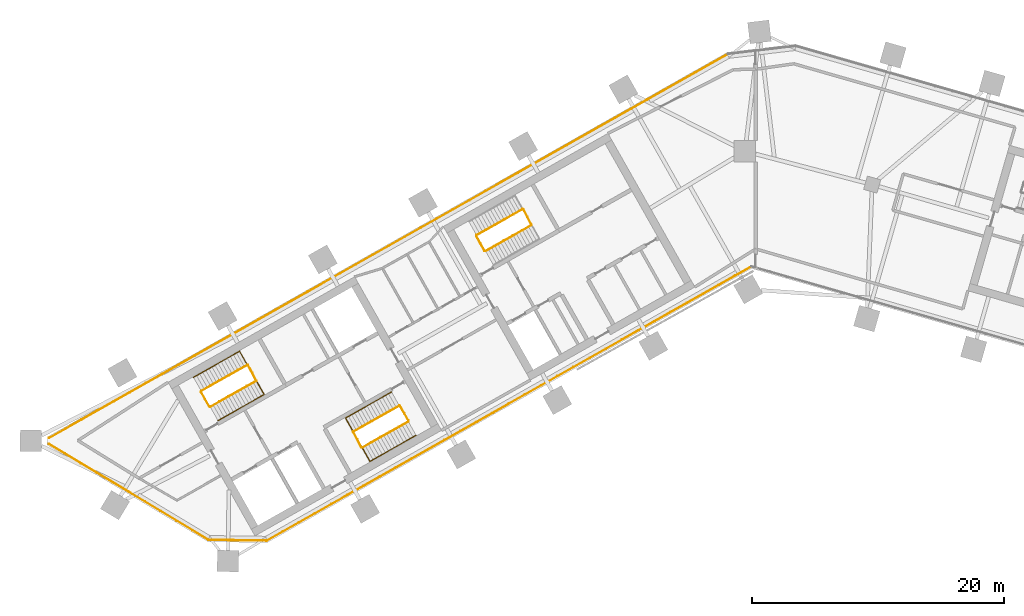
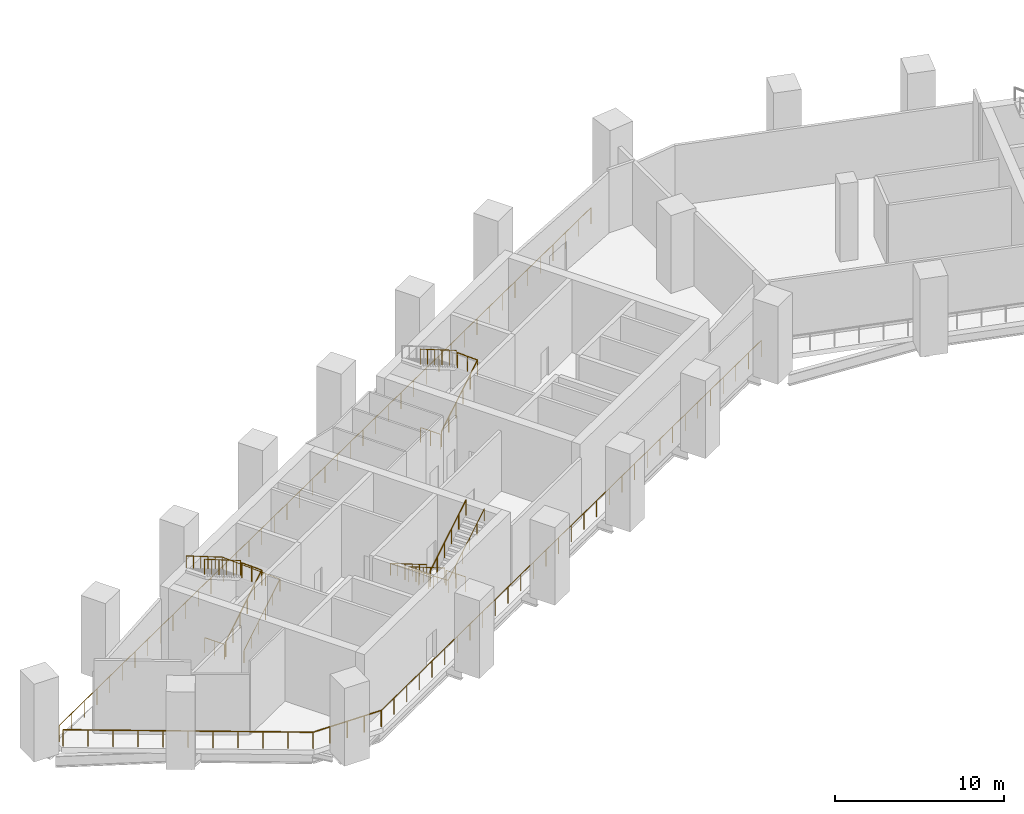
# One storey, part 9 of 11: 15 railings.
"""IFC4 building model written with IfcOpenShell, lengths in metres."""

from ifc_helpers import new_model, si_unit, direction, frame, origin, origin_2d, place, context, subcontext, project, spatial, circle, extrude, material, type_object, element, save


model = new_model("IFC4")

# Units and contexts
model_context = context("Model", 3, precision=1e-05, world=origin(), true_north=direction((0.0, 1.0)))
body_context = subcontext(model_context, "Body", "Model", "MODEL_VIEW")
ifc_project = project(units=[si_unit("LENGTHUNIT", "METRE"), si_unit("AREAUNIT", "SQUARE_METRE"), si_unit("VOLUMEUNIT", "CUBIC_METRE"), si_unit("PLANEANGLEUNIT", "RADIAN"), si_unit("MASSUNIT", "GRAM", prefix="KILO")], contexts=[model_context])

# Site, building, storey
site_placement = place(None, origin())
site = spatial("IfcSite", under=ifc_project, at=site_placement, CompositionType="ELEMENT")
building_placement = place(site_placement, origin())
building = spatial("IfcBuilding", under=site, at=building_placement, Name="Binnacle Exchange Tower", CompositionType="ELEMENT")
storey_placement = place(building_placement, frame((0.0, 0.0, 91.5)))
storey = spatial("IfcBuildingStorey", under=building, at=storey_placement, Name="L18", CompositionType="ELEMENT", Elevation=91.5)

# Railings
ifc_material_1 = material(Name="Bronze anodised aluminium frame", Category="aluminium")
railing_type_1 = type_object("IfcRailingType", Name="GUARD 1200", PredefinedType="GUARDRAIL", material=ifc_material_1)
railing_1_placement = place(storey_placement, frame((-0.337890625, 50.853515625, 0.0)))
element("IfcRailing", 1, at=railing_1_placement, inside=storey, type_object=railing_type_1, Name="Slab edge guard 7 L18", PredefinedType="GUARDRAIL", context=body_context, shape_type="SweptSolid", body=[
    extrude(circle(Radius=0.02392578125, at=origin_2d()), frame((0.0, 0.0, 1.17578125), z_axis=(-0.870356450628, -0.492422226195, 0.0), x_axis=(0.492422226195, -0.870356450628, 0.0)), (0.0, 0.0, 1.0), 44.16748046875),
    extrude(circle(Radius=0.02099609375, at=origin_2d()), origin(), (0.0, 0.0, 1.0), 1.15185546875),
    extrude(circle(Radius=0.02099609375, at=origin_2d()), frame((-1.281494140625, -0.724853515625, 0.0)), (0.0, 0.0, 1.0), 1.15185546875),
    extrude(circle(Radius=0.02099609375, at=origin_2d()), frame((-2.562744140625, -1.449951171875, 0.0)), (0.0, 0.0, 1.0), 1.15185546875),
    extrude(circle(Radius=0.02099609375, at=origin_2d()), frame((-3.84423828125, -2.1748046875, 0.0)), (0.0, 0.0, 1.0), 1.15185546875),
    extrude(circle(Radius=0.02099609375, at=origin_2d()), frame((-5.12548828125, -2.89990234375, 0.0)), (0.0, 0.0, 1.0), 1.15185546875),
    extrude(circle(Radius=0.02099609375, at=origin_2d()), frame((-6.406982421875, -3.624755859375, 0.0)), (0.0, 0.0, 1.0), 1.15185546875),
    extrude(circle(Radius=0.02099609375, at=origin_2d()), frame((-7.688232421875, -4.349853515625, 0.0)), (0.0, 0.0, 1.0), 1.15185546875),
    extrude(circle(Radius=0.02099609375, at=origin_2d()), frame((-8.9697265625, -5.07470703125, 0.0)), (0.0, 0.0, 1.0), 1.15185546875),
    extrude(circle(Radius=0.02099609375, at=origin_2d()), frame((-10.2509765625, -5.7998046875, 0.0)), (0.0, 0.0, 1.0), 1.15185546875),
    extrude(circle(Radius=0.02099609375, at=origin_2d()), frame((-11.532470703125, -6.524658203125, 0.0)), (0.0, 0.0, 1.0), 1.15185546875),
    extrude(circle(Radius=0.02099609375, at=origin_2d()), frame((-12.813720703125, -7.249755859375, 0.0)), (0.0, 0.0, 1.0), 1.15185546875),
    extrude(circle(Radius=0.02099609375, at=origin_2d()), frame((-14.09521484375, -7.974609375, 0.0)), (0.0, 0.0, 1.0), 1.15185546875),
    extrude(circle(Radius=0.02099609375, at=origin_2d()), frame((-15.37646484375, -8.69970703125, 0.0)), (0.0, 0.0, 1.0), 1.15185546875),
    extrude(circle(Radius=0.02099609375, at=origin_2d()), frame((-16.657958984375, -9.424560546875, 0.0)), (0.0, 0.0, 1.0), 1.15185546875),
    extrude(circle(Radius=0.02099609375, at=origin_2d()), frame((-17.939208984375, -10.149658203125, 0.0)), (0.0, 0.0, 1.0), 1.15185546875),
    extrude(circle(Radius=0.02099609375, at=origin_2d()), frame((-19.220703125, -10.87451171875, 0.0)), (0.0, 0.0, 1.0), 1.15185546875),
    extrude(circle(Radius=0.02099609375, at=origin_2d()), frame((-20.502197265625, -11.599365234375, 0.0)), (0.0, 0.0, 1.0), 1.15185546875),
    extrude(circle(Radius=0.02099609375, at=origin_2d()), frame((-21.783447265625, -12.324462890625, 0.0)), (0.0, 0.0, 1.0), 1.15185546875),
    extrude(circle(Radius=0.02099609375, at=origin_2d()), frame((-23.06494140625, -13.04931640625, 0.0)), (0.0, 0.0, 1.0), 1.15185546875),
    extrude(circle(Radius=0.02099609375, at=origin_2d()), frame((-24.34619140625, -13.7744140625, 0.0)), (0.0, 0.0, 1.0), 1.15185546875),
    extrude(circle(Radius=0.02099609375, at=origin_2d()), frame((-25.627685546875, -14.499267578125, 0.0)), (0.0, 0.0, 1.0), 1.15185546875),
    extrude(circle(Radius=0.02099609375, at=origin_2d()), frame((-26.908935546875, -15.224365234375, 0.0)), (0.0, 0.0, 1.0), 1.15185546875),
    extrude(circle(Radius=0.02099609375, at=origin_2d()), frame((-28.1904296875, -15.94921875, 0.0)), (0.0, 0.0, 1.0), 1.15185546875),
    extrude(circle(Radius=0.02099609375, at=origin_2d()), frame((-29.4716796875, -16.67431640625, 0.0)), (0.0, 0.0, 1.0), 1.15185546875),
    extrude(circle(Radius=0.02099609375, at=origin_2d()), frame((-30.753173828125, -17.399169921875, 0.0)), (0.0, 0.0, 1.0), 1.15185546875),
    extrude(circle(Radius=0.02099609375, at=origin_2d()), frame((-32.034423828125, -18.124267578125, 0.0)), (0.0, 0.0, 1.0), 1.15185546875),
    extrude(circle(Radius=0.02099609375, at=origin_2d()), frame((-33.31591796875, -18.84912109375, 0.0)), (0.0, 0.0, 1.0), 1.15185546875),
    extrude(circle(Radius=0.02099609375, at=origin_2d()), frame((-34.59716796875, -19.57421875, 0.0)), (0.0, 0.0, 1.0), 1.15185546875),
    extrude(circle(Radius=0.02099609375, at=origin_2d()), frame((-35.878662109375, -20.299072265625, 0.0)), (0.0, 0.0, 1.0), 1.15185546875),
    extrude(circle(Radius=0.02099609375, at=origin_2d()), frame((-37.159912109375, -21.024169921875, 0.0)), (0.0, 0.0, 1.0), 1.15185546875),
    extrude(circle(Radius=0.02099609375, at=origin_2d()), frame((-38.44140625, -21.7490234375, 0.0)), (0.0, 0.0, 1.0), 1.15185546875),
])
railing_2_placement = place(storey_placement, frame((-38.779296875, 29.1044921875, 0.0)))
element("IfcRailing", 2, at=railing_2_placement, inside=storey, type_object=railing_type_1, Name="Slab edge guard 8 L18", PredefinedType="GUARDRAIL", context=body_context, shape_type="SweptSolid", body=[
    extrude(circle(Radius=0.02392578125, at=origin_2d()), frame((0.0, 0.0, 1.17578125), z_axis=(-0.999914605357, 0.013068358512, 0.0), x_axis=(-0.013068358512, -0.999914605357, 0.0)), (0.0, 0.0, 1.0), 4.614501953125),
    extrude(circle(Radius=0.02099609375, at=origin_2d()), origin(), (0.0, 0.0, 1.0), 1.15185546875),
    extrude(circle(Radius=0.02099609375, at=origin_2d()), frame((-1.153564453125, 0.01513671875, 0.0)), (0.0, 0.0, 1.0), 1.15185546875),
    extrude(circle(Radius=0.02099609375, at=origin_2d()), frame((-2.30712890625, 0.0302734375, 0.0)), (0.0, 0.0, 1.0), 1.15185546875),
    extrude(circle(Radius=0.02099609375, at=origin_2d()), frame((-3.46044921875, 0.045166015625, 0.0)), (0.0, 0.0, 1.0), 1.15185546875),
    extrude(circle(Radius=0.02099609375, at=origin_2d()), frame((-4.614013671875, 0.060302734375, 0.0)), (0.0, 0.0, 1.0), 1.15185546875),
])
railing_3_placement = place(storey_placement, frame((-43.393310546875, 29.164794921875, 0.0)))
element("IfcRailing", 3, at=railing_3_placement, inside=storey, type_object=railing_type_1, Name="Slab edge guard 9 L18", PredefinedType="GUARDRAIL", context=body_context, shape_type="SweptSolid", body=[
    extrude(circle(Radius=0.02392578125, at=origin_2d()), frame((0.0, 0.0, 1.17578125), z_axis=(-0.857165864505, 0.515040465135, 0.0), x_axis=(-0.515040465135, -0.857165864505, 0.0)), (0.0, 0.0, 1.0), 14.761474609375),
    extrude(circle(Radius=0.02099609375, at=origin_2d()), origin(), (0.0, 0.0, 1.0), 1.15185546875),
    extrude(circle(Radius=0.02099609375, at=origin_2d()), frame((-1.265380859375, 0.76025390625, 0.0)), (0.0, 0.0, 1.0), 1.15185546875),
    extrude(circle(Radius=0.02099609375, at=origin_2d()), frame((-2.530517578125, 1.5205078125, 0.0)), (0.0, 0.0, 1.0), 1.15185546875),
    extrude(circle(Radius=0.02099609375, at=origin_2d()), frame((-3.7958984375, 2.28076171875, 0.0)), (0.0, 0.0, 1.0), 1.15185546875),
    extrude(circle(Radius=0.02099609375, at=origin_2d()), frame((-5.061279296875, 3.041015625, 0.0)), (0.0, 0.0, 1.0), 1.15185546875),
    extrude(circle(Radius=0.02099609375, at=origin_2d()), frame((-6.32666015625, 3.80126953125, 0.0)), (0.0, 0.0, 1.0), 1.15185546875),
    extrude(circle(Radius=0.02099609375, at=origin_2d()), frame((-7.591796875, 4.561767578125, 0.0)), (0.0, 0.0, 1.0), 1.15185546875),
    extrude(circle(Radius=0.02099609375, at=origin_2d()), frame((-8.857177734375, 5.322021484375, 0.0)), (0.0, 0.0, 1.0), 1.15185546875),
    extrude(circle(Radius=0.02099609375, at=origin_2d()), frame((-10.12255859375, 6.082275390625, 0.0)), (0.0, 0.0, 1.0), 1.15185546875),
    extrude(circle(Radius=0.02099609375, at=origin_2d()), frame((-11.3876953125, 6.842529296875, 0.0)), (0.0, 0.0, 1.0), 1.15185546875),
    extrude(circle(Radius=0.02099609375, at=origin_2d()), frame((-12.653076171875, 7.602783203125, 0.0)), (0.0, 0.0, 1.0), 1.15185546875),
])
railing_4_placement = place(storey_placement, frame((-56.0400390625, 37.24951171875, 0.0)))
element("IfcRailing", 4, at=railing_4_placement, inside=storey, type_object=railing_type_1, Name="Slab edge guard 10 L18", PredefinedType="GUARDRAIL", context=body_context, shape_type="SweptSolid", body=[
    extrude(circle(Radius=0.02392578125, at=origin_2d()), frame((0.0, 0.0, 1.17578125), z_axis=(0.870357147372, 0.492420994697, 0.0), x_axis=(-0.492420994697, 0.870357147372, 0.0)), (0.0, 0.0, 1.0), 61.853515625),
    extrude(circle(Radius=0.02099609375, at=origin_2d()), origin(), (0.0, 0.0, 1.0), 1.15185546875),
    extrude(circle(Radius=0.02099609375, at=origin_2d()), frame((1.28173828125, 0.72509765625, 0.0)), (0.0, 0.0, 1.0), 1.15185546875),
    extrude(circle(Radius=0.02099609375, at=origin_2d()), frame((2.5634765625, 1.450439453125, 0.0)), (0.0, 0.0, 1.0), 1.15185546875),
    extrude(circle(Radius=0.02099609375, at=origin_2d()), frame((3.84521484375, 2.175537109375, 0.0)), (0.0, 0.0, 1.0), 1.15185546875),
    extrude(circle(Radius=0.02099609375, at=origin_2d()), frame((5.127197265625, 2.90087890625, 0.0)), (0.0, 0.0, 1.0), 1.15185546875),
    extrude(circle(Radius=0.02099609375, at=origin_2d()), frame((6.408935546875, 3.6259765625, 0.0)), (0.0, 0.0, 1.0), 1.15185546875),
    extrude(circle(Radius=0.02099609375, at=origin_2d()), frame((7.690673828125, 4.35107421875, 0.0)), (0.0, 0.0, 1.0), 1.15185546875),
    extrude(circle(Radius=0.02099609375, at=origin_2d()), frame((8.972412109375, 5.076416015625, 0.0)), (0.0, 0.0, 1.0), 1.15185546875),
    extrude(circle(Radius=0.02099609375, at=origin_2d()), frame((10.254150390625, 5.801513671875, 0.0)), (0.0, 0.0, 1.0), 1.15185546875),
    extrude(circle(Radius=0.02099609375, at=origin_2d()), frame((11.5361328125, 6.526611328125, 0.0)), (0.0, 0.0, 1.0), 1.15185546875),
    extrude(circle(Radius=0.02099609375, at=origin_2d()), frame((12.81787109375, 7.251953125, 0.0)), (0.0, 0.0, 1.0), 1.15185546875),
    extrude(circle(Radius=0.02099609375, at=origin_2d()), frame((14.099609375, 7.97705078125, 0.0)), (0.0, 0.0, 1.0), 1.15185546875),
    extrude(circle(Radius=0.02099609375, at=origin_2d()), frame((15.38134765625, 8.702392578125, 0.0)), (0.0, 0.0, 1.0), 1.15185546875),
    extrude(circle(Radius=0.02099609375, at=origin_2d()), frame((16.6630859375, 9.427490234375, 0.0)), (0.0, 0.0, 1.0), 1.15185546875),
    extrude(circle(Radius=0.02099609375, at=origin_2d()), frame((17.94482421875, 10.152587890625, 0.0)), (0.0, 0.0, 1.0), 1.15185546875),
    extrude(circle(Radius=0.02099609375, at=origin_2d()), frame((19.2265625, 10.8779296875, 0.0)), (0.0, 0.0, 1.0), 1.15185546875),
    extrude(circle(Radius=0.02099609375, at=origin_2d()), frame((20.508544921875, 11.60302734375, 0.0)), (0.0, 0.0, 1.0), 1.15185546875),
    extrude(circle(Radius=0.02099609375, at=origin_2d()), frame((21.790283203125, 12.328125, 0.0)), (0.0, 0.0, 1.0), 1.15185546875),
    extrude(circle(Radius=0.02099609375, at=origin_2d()), frame((23.072021484375, 13.053466796875, 0.0)), (0.0, 0.0, 1.0), 1.15185546875),
    extrude(circle(Radius=0.02099609375, at=origin_2d()), frame((24.353759765625, 13.778564453125, 0.0)), (0.0, 0.0, 1.0), 1.15185546875),
    extrude(circle(Radius=0.02099609375, at=origin_2d()), frame((25.635498046875, 14.50390625, 0.0)), (0.0, 0.0, 1.0), 1.15185546875),
    extrude(circle(Radius=0.02099609375, at=origin_2d()), frame((26.91748046875, 15.22900390625, 0.0)), (0.0, 0.0, 1.0), 1.15185546875),
    extrude(circle(Radius=0.02099609375, at=origin_2d()), frame((28.19921875, 15.9541015625, 0.0)), (0.0, 0.0, 1.0), 1.15185546875),
    extrude(circle(Radius=0.02099609375, at=origin_2d()), frame((29.48095703125, 16.679443359375, 0.0)), (0.0, 0.0, 1.0), 1.15185546875),
    extrude(circle(Radius=0.02099609375, at=origin_2d()), frame((30.7626953125, 17.404541015625, 0.0)), (0.0, 0.0, 1.0), 1.15185546875),
    extrude(circle(Radius=0.02099609375, at=origin_2d()), frame((32.04443359375, 18.1298828125, 0.0)), (0.0, 0.0, 1.0), 1.15185546875),
    extrude(circle(Radius=0.02099609375, at=origin_2d()), frame((33.326171875, 18.85498046875, 0.0)), (0.0, 0.0, 1.0), 1.15185546875),
    extrude(circle(Radius=0.02099609375, at=origin_2d()), frame((34.60791015625, 19.580078125, 0.0)), (0.0, 0.0, 1.0), 1.15185546875),
    extrude(circle(Radius=0.02099609375, at=origin_2d()), frame((35.889892578125, 20.305419921875, 0.0)), (0.0, 0.0, 1.0), 1.15185546875),
    extrude(circle(Radius=0.02099609375, at=origin_2d()), frame((37.171630859375, 21.030517578125, 0.0)), (0.0, 0.0, 1.0), 1.15185546875),
    extrude(circle(Radius=0.02099609375, at=origin_2d()), frame((38.453369140625, 21.755615234375, 0.0)), (0.0, 0.0, 1.0), 1.15185546875),
    extrude(circle(Radius=0.02099609375, at=origin_2d()), frame((39.735107421875, 22.48095703125, 0.0)), (0.0, 0.0, 1.0), 1.15185546875),
    extrude(circle(Radius=0.02099609375, at=origin_2d()), frame((41.016845703125, 23.2060546875, 0.0)), (0.0, 0.0, 1.0), 1.15185546875),
    extrude(circle(Radius=0.02099609375, at=origin_2d()), frame((42.298828125, 23.931396484375, 0.0)), (0.0, 0.0, 1.0), 1.15185546875),
    extrude(circle(Radius=0.02099609375, at=origin_2d()), frame((43.58056640625, 24.656494140625, 0.0)), (0.0, 0.0, 1.0), 1.15185546875),
    extrude(circle(Radius=0.02099609375, at=origin_2d()), frame((44.8623046875, 25.381591796875, 0.0)), (0.0, 0.0, 1.0), 1.15185546875),
    extrude(circle(Radius=0.02099609375, at=origin_2d()), frame((46.14404296875, 26.10693359375, 0.0)), (0.0, 0.0, 1.0), 1.15185546875),
    extrude(circle(Radius=0.02099609375, at=origin_2d()), frame((47.42578125, 26.83203125, 0.0)), (0.0, 0.0, 1.0), 1.15185546875),
    extrude(circle(Radius=0.02099609375, at=origin_2d()), frame((48.70751953125, 27.55712890625, 0.0)), (0.0, 0.0, 1.0), 1.15185546875),
    extrude(circle(Radius=0.02099609375, at=origin_2d()), frame((49.9892578125, 28.282470703125, 0.0)), (0.0, 0.0, 1.0), 1.15185546875),
    extrude(circle(Radius=0.02099609375, at=origin_2d()), frame((51.271240234375, 29.007568359375, 0.0)), (0.0, 0.0, 1.0), 1.15185546875),
    extrude(circle(Radius=0.02099609375, at=origin_2d()), frame((52.552978515625, 29.73291015625, 0.0)), (0.0, 0.0, 1.0), 1.15185546875),
    extrude(circle(Radius=0.02099609375, at=origin_2d()), frame((53.834716796875, 30.4580078125, 0.0)), (0.0, 0.0, 1.0), 1.15185546875),
])
ifc_material_2 = material(Name="Steel guard rail", Category="steel")
railing_type_2 = type_object("IfcRailingType", Name="STAIR GUARD 1100", PredefinedType="GUARDRAIL", material=ifc_material_2)
railing_5_placement = place(storey_placement, frame((-43.26171875, 39.71728515625, 0.175048828125)))
element("IfcRailing", 5, at=railing_5_placement, inside=storey, type_object=railing_type_2, Name="L18 STA1 stair guard 1", PredefinedType="GUARDRAIL", context=body_context, shape_type="SweptSolid", body=[
    extrude(circle(Radius=0.02392578125, at=origin_2d()), frame((0.0, 0.0, 1.076171875), z_axis=(0.73806629329, 0.417562250081, 0.529999918884), x_axis=(-0.492409653846, 0.870363563575, 0.0)), (0.0, 0.0, 1.0), 4.952880859375),
    extrude(circle(Radius=0.02392578125, at=origin_2d()), frame((3.655517578125, 2.068115234375, 3.701171875), z_axis=(-0.461100321709, 0.887348011391, 0.0), x_axis=(-0.887348011391, -0.461100321709, 0.0)), (0.0, 0.0, 1.0), 1.40087890625),
    extrude(circle(Radius=0.02099609375, at=origin_2d()), origin(), (0.0, 0.0, 1.0), 1.052001953125),
    extrude(circle(Radius=0.02099609375, at=origin_2d()), frame((0.731201171875, 0.41357421875, 0.52490234375)), (0.0, 0.0, 1.0), 1.052001953125),
    extrude(circle(Radius=0.02099609375, at=origin_2d()), frame((1.462158203125, 0.8271484375, 1.050048828125)), (0.0, 0.0, 1.0), 1.052001953125),
    extrude(circle(Radius=0.02099609375, at=origin_2d()), frame((2.193359375, 1.240966796875, 1.574951171875)), (0.0, 0.0, 1.0), 1.052001953125),
    extrude(circle(Radius=0.02099609375, at=origin_2d()), frame((2.92431640625, 1.654541015625, 2.10009765625)), (0.0, 0.0, 1.0), 1.052001953125),
    extrude(circle(Radius=0.02099609375, at=origin_2d()), frame((3.655517578125, 2.068115234375, 2.625)), (0.0, 0.0, 1.0), 1.052001953125),
    extrude(circle(Radius=0.02099609375, at=origin_2d()), frame((3.33251953125, 2.689697265625, 2.625)), (0.0, 0.0, 1.0), 1.052001953125),
    extrude(circle(Radius=0.02099609375, at=origin_2d()), frame((3.009521484375, 3.311279296875, 2.625)), (0.0, 0.0, 1.0), 1.052001953125),
])
railing_6_placement = place(storey_placement, frame((-40.3203125, 43.047607421875, 2.97509765625)))
element("IfcRailing", 6, at=railing_6_placement, inside=storey, type_object=railing_type_2, Name="L18 STA1 stair guard 2", PredefinedType="GUARDRAIL", context=body_context, shape_type="SweptSolid", body=[
    extrude(circle(Radius=0.02392578125, at=origin_2d()), frame((0.0, 0.0, 1.076171875), z_axis=(-0.738051101275, -0.417602947305, 0.529989009611), x_axis=(0.492453686477, -0.870338650569, 0.0)), (0.0, 0.0, 1.0), 4.952880859375),
    extrude(circle(Radius=0.02099609375, at=origin_2d()), origin(), (0.0, 0.0, 1.0), 1.052001953125),
    extrude(circle(Radius=0.02099609375, at=origin_2d()), frame((-0.731201171875, -0.41357421875, 0.52490234375)), (0.0, 0.0, 1.0), 1.052001953125),
    extrude(circle(Radius=0.02099609375, at=origin_2d()), frame((-1.462158203125, -0.827392578125, 1.050048828125)), (0.0, 0.0, 1.0), 1.052001953125),
    extrude(circle(Radius=0.02099609375, at=origin_2d()), frame((-2.193359375, -1.240966796875, 1.574951171875)), (0.0, 0.0, 1.0), 1.052001953125),
    extrude(circle(Radius=0.02099609375, at=origin_2d()), frame((-2.92431640625, -1.65478515625, 2.10009765625)), (0.0, 0.0, 1.0), 1.052001953125),
    extrude(circle(Radius=0.02099609375, at=origin_2d()), frame((-3.655517578125, -2.068359375, 2.625)), (0.0, 0.0, 1.0), 1.052001953125),
])
railing_7_placement = place(storey_placement, frame((-43.329833984375, 39.736328125, 0.0)))
element("IfcRailing", 7, at=railing_7_placement, inside=storey, type_object=railing_type_2, Name="L18 STA1 stair guard 3", PredefinedType="GUARDRAIL", context=body_context, shape_type="SweptSolid", body=[
    extrude(circle(Radius=0.02392578125, at=origin_2d()), frame((0.0, 0.0, 1.076171875), z_axis=(-0.4924922531, 0.870316827734, 0.0), x_axis=(-0.870316827734, -0.4924922531, 0.0)), (0.0, 0.0, 1.0), 1.349853515625),
    extrude(circle(Radius=0.02099609375, at=origin_2d()), origin(), (0.0, 0.0, 1.0), 1.052001953125),
    extrude(circle(Radius=0.02099609375, at=origin_2d()), frame((-0.33251953125, 0.58740234375, 0.0)), (0.0, 0.0, 1.0), 1.052001953125),
    extrude(circle(Radius=0.02099609375, at=origin_2d()), frame((-0.664794921875, 1.1748046875, 0.0)), (0.0, 0.0, 1.0), 1.052001953125),
])
railing_8_placement = place(storey_placement, frame((-28.265380859375, 39.814453125, 0.175048828125)))
element("IfcRailing", 8, at=railing_8_placement, inside=storey, type_object=railing_type_2, Name="L18 STA2 stair guard 1", PredefinedType="GUARDRAIL", context=body_context, shape_type="SweptSolid", body=[
    extrude(circle(Radius=0.02392578125, at=origin_2d()), frame((0.0, 0.0, 1.076171875), z_axis=(-0.73806629329, -0.417562250081, 0.529999918884), x_axis=(0.492409653846, -0.870363563575, 0.0)), (0.0, 0.0, 1.0), 4.952880859375),
    extrude(circle(Radius=0.02392578125, at=origin_2d()), frame((-3.655517578125, -2.068115234375, 3.701171875), z_axis=(0.460963092712, -0.887419307406, 0.0), x_axis=(0.887419307406, 0.460963092712, 0.0)), (0.0, 0.0, 1.0), 1.40087890625),
    extrude(circle(Radius=0.02099609375, at=origin_2d()), origin(), (0.0, 0.0, 1.0), 1.052001953125),
    extrude(circle(Radius=0.02099609375, at=origin_2d()), frame((-0.731201171875, -0.41357421875, 0.52490234375)), (0.0, 0.0, 1.0), 1.052001953125),
    extrude(circle(Radius=0.02099609375, at=origin_2d()), frame((-1.462158203125, -0.8271484375, 1.050048828125)), (0.0, 0.0, 1.0), 1.052001953125),
    extrude(circle(Radius=0.02099609375, at=origin_2d()), frame((-2.193359375, -1.240966796875, 1.574951171875)), (0.0, 0.0, 1.0), 1.052001953125),
    extrude(circle(Radius=0.02099609375, at=origin_2d()), frame((-2.92431640625, -1.654541015625, 2.10009765625)), (0.0, 0.0, 1.0), 1.052001953125),
    extrude(circle(Radius=0.02099609375, at=origin_2d()), frame((-3.655517578125, -2.068115234375, 2.625)), (0.0, 0.0, 1.0), 1.052001953125),
    extrude(circle(Radius=0.02099609375, at=origin_2d()), frame((-3.33251953125, -2.689697265625, 2.625)), (0.0, 0.0, 1.0), 1.052001953125),
    extrude(circle(Radius=0.02099609375, at=origin_2d()), frame((-3.009765625, -3.311279296875, 2.625)), (0.0, 0.0, 1.0), 1.052001953125),
])
railing_9_placement = place(storey_placement, frame((-31.206787109375, 36.484375, 2.97509765625)))
element("IfcRailing", 9, at=railing_9_placement, inside=storey, type_object=railing_type_2, Name="L18 STA2 stair guard 2", PredefinedType="GUARDRAIL", context=body_context, shape_type="SweptSolid", body=[
    extrude(circle(Radius=0.02392578125, at=origin_2d()), frame((0.0, 0.0, 1.076171875), z_axis=(0.738043850958, 0.417577441989, 0.530019201543), x_axis=(-0.49243456751, 0.870349468157, 0.0)), (0.0, 0.0, 1.0), 4.95263671875),
    extrude(circle(Radius=0.02099609375, at=origin_2d()), origin(), (0.0, 0.0, 1.0), 1.052001953125),
    extrude(circle(Radius=0.02099609375, at=origin_2d()), frame((0.73095703125, 0.41357421875, 0.52490234375)), (0.0, 0.0, 1.0), 1.052001953125),
    extrude(circle(Radius=0.02099609375, at=origin_2d()), frame((1.462158203125, 0.8271484375, 1.050048828125)), (0.0, 0.0, 1.0), 1.052001953125),
    extrude(circle(Radius=0.02099609375, at=origin_2d()), frame((2.193115234375, 1.240966796875, 1.574951171875)), (0.0, 0.0, 1.0), 1.052001953125),
    extrude(circle(Radius=0.02099609375, at=origin_2d()), frame((2.92431640625, 1.654541015625, 2.10009765625)), (0.0, 0.0, 1.0), 1.052001953125),
    extrude(circle(Radius=0.02099609375, at=origin_2d()), frame((3.6552734375, 2.068115234375, 2.625)), (0.0, 0.0, 1.0), 1.052001953125),
])
railing_10_placement = place(storey_placement, frame((-28.197265625, 39.795654296875, 0.0)))
element("IfcRailing", 10, at=railing_10_placement, inside=storey, type_object=railing_type_2, Name="L18 STA2 stair guard 3", PredefinedType="GUARDRAIL", context=body_context, shape_type="SweptSolid", body=[
    extrude(circle(Radius=0.02392578125, at=origin_2d()), frame((0.0, 0.0, 1.076171875), z_axis=(0.49241474071, -0.870360685654, 0.0), x_axis=(0.870360685654, 0.49241474071, 0.0)), (0.0, 0.0, 1.0), 1.35009765625),
    extrude(circle(Radius=0.02099609375, at=origin_2d()), origin(), (0.0, 0.0, 1.0), 1.052001953125),
    extrude(circle(Radius=0.02099609375, at=origin_2d()), frame((0.33251953125, -0.58740234375, 0.0)), (0.0, 0.0, 1.0), 1.052001953125),
    extrude(circle(Radius=0.02099609375, at=origin_2d()), frame((0.664794921875, -1.175048828125, 0.0)), (0.0, 0.0, 1.0), 1.052001953125),
])
railing_11_placement = place(storey_placement, frame((-21.423828125, 52.07275390625, 0.175048828125)))
element("IfcRailing", 11, at=railing_11_placement, inside=storey, type_object=railing_type_2, Name="L18 STC1 stair guard 1", PredefinedType="GUARDRAIL", context=body_context, shape_type="SweptSolid", body=[
    extrude(circle(Radius=0.02392578125, at=origin_2d()), frame((0.0, 0.0, 1.076171875), z_axis=(0.73806629329, 0.417562250081, 0.529999918884), x_axis=(-0.492409653846, 0.870363563575, 0.0)), (0.0, 0.0, 1.0), 4.952880859375),
    extrude(circle(Radius=0.02392578125, at=origin_2d()), frame((3.655517578125, 2.068115234375, 3.701171875), z_axis=(-0.460963092712, 0.887419307406, 0.0), x_axis=(-0.887419307406, -0.460963092712, 0.0)), (0.0, 0.0, 1.0), 1.40087890625),
    extrude(circle(Radius=0.02099609375, at=origin_2d()), origin(), (0.0, 0.0, 1.0), 1.052001953125),
    extrude(circle(Radius=0.02099609375, at=origin_2d()), frame((0.731201171875, 0.41357421875, 0.52490234375)), (0.0, 0.0, 1.0), 1.052001953125),
    extrude(circle(Radius=0.02099609375, at=origin_2d()), frame((1.462158203125, 0.8271484375, 1.050048828125)), (0.0, 0.0, 1.0), 1.052001953125),
    extrude(circle(Radius=0.02099609375, at=origin_2d()), frame((2.193359375, 1.240966796875, 1.574951171875)), (0.0, 0.0, 1.0), 1.052001953125),
    extrude(circle(Radius=0.02099609375, at=origin_2d()), frame((2.92431640625, 1.654541015625, 2.10009765625)), (0.0, 0.0, 1.0), 1.052001953125),
    extrude(circle(Radius=0.02099609375, at=origin_2d()), frame((3.655517578125, 2.068115234375, 2.625)), (0.0, 0.0, 1.0), 1.052001953125),
    extrude(circle(Radius=0.02099609375, at=origin_2d()), frame((3.33251953125, 2.689697265625, 2.625)), (0.0, 0.0, 1.0), 1.052001953125),
    extrude(circle(Radius=0.02099609375, at=origin_2d()), frame((3.009765625, 3.311279296875, 2.625)), (0.0, 0.0, 1.0), 1.052001953125),
])
railing_12_placement = place(storey_placement, frame((-18.482177734375, 55.40283203125, 2.97509765625)))
element("IfcRailing", 12, at=railing_12_placement, inside=storey, type_object=railing_type_2, Name="L18 STC1 stair guard 2", PredefinedType="GUARDRAIL", context=body_context, shape_type="SweptSolid", body=[
    extrude(circle(Radius=0.02392578125, at=origin_2d()), frame((0.0, 0.0, 1.076171875), z_axis=(-0.73806629329, -0.417562250081, 0.529999918884), x_axis=(0.492409653846, -0.870363563575, 0.0)), (0.0, 0.0, 1.0), 4.952880859375),
    extrude(circle(Radius=0.02099609375, at=origin_2d()), origin(), (0.0, 0.0, 1.0), 1.052001953125),
    extrude(circle(Radius=0.02099609375, at=origin_2d()), frame((-0.731201171875, -0.41357421875, 0.52490234375)), (0.0, 0.0, 1.0), 1.052001953125),
    extrude(circle(Radius=0.02099609375, at=origin_2d()), frame((-1.462158203125, -0.8271484375, 1.050048828125)), (0.0, 0.0, 1.0), 1.052001953125),
    extrude(circle(Radius=0.02099609375, at=origin_2d()), frame((-2.193359375, -1.240966796875, 1.574951171875)), (0.0, 0.0, 1.0), 1.052001953125),
    extrude(circle(Radius=0.02099609375, at=origin_2d()), frame((-2.92431640625, -1.654541015625, 2.10009765625)), (0.0, 0.0, 1.0), 1.052001953125),
    extrude(circle(Radius=0.02099609375, at=origin_2d()), frame((-3.655517578125, -2.068115234375, 2.625)), (0.0, 0.0, 1.0), 1.052001953125),
])
railing_13_placement = place(storey_placement, frame((-21.491943359375, 52.091552734375, 0.0)))
element("IfcRailing", 13, at=railing_13_placement, inside=storey, type_object=railing_type_2, Name="L18 STC1 stair guard 3", PredefinedType="GUARDRAIL", context=body_context, shape_type="SweptSolid", body=[
    extrude(circle(Radius=0.02392578125, at=origin_2d()), frame((0.0, 0.0, 1.076171875), z_axis=(-0.49241474071, 0.870360685654, 0.0), x_axis=(-0.870360685654, -0.49241474071, 0.0)), (0.0, 0.0, 1.0), 1.35009765625),
    extrude(circle(Radius=0.02099609375, at=origin_2d()), origin(), (0.0, 0.0, 1.0), 1.052001953125),
    extrude(circle(Radius=0.02099609375, at=origin_2d()), frame((-0.33251953125, 0.58740234375, 0.0)), (0.0, 0.0, 1.0), 1.052001953125),
    extrude(circle(Radius=0.02099609375, at=origin_2d()), frame((-0.664794921875, 1.175048828125, 0.0)), (0.0, 0.0, 1.0), 1.052001953125),
])
ifc_material_3 = material(Name="Steel handrail", Category="steel")
railing_type_3 = type_object("IfcRailingType", Name="STAIR HANDRAIL 900", PredefinedType="HANDRAIL", material=ifc_material_3)
railing_14_placement = place(storey_placement, frame((-42.646240234375, 38.62939453125, 0.175048828125)))
element("IfcRailing", 14, at=railing_14_placement, inside=storey, type_object=railing_type_3, Name="L18 STA1 stair handrail 1", PredefinedType="HANDRAIL", context=body_context, shape_type="SweptSolid", body=[
    extrude(circle(Radius=0.02392578125, at=origin_2d()), frame((0.0, 0.0, 0.8759765625), z_axis=(0.73806629329, 0.417562250081, 0.529999918884), x_axis=(-0.492409653846, 0.870363563575, 0.0)), (0.0, 0.0, 1.0), 4.952880859375),
    extrude(circle(Radius=0.02392578125, at=origin_2d()), frame((3.655517578125, 2.068115234375, 3.5009765625), z_axis=(-0.491930819221, 0.869507944806, 0.044271921348), x_axis=(-0.870361318571, -0.492413622004, 0.0)), (0.0, 0.0, 1.0), 3.953857421875),
    extrude(circle(Radius=0.02392578125, at=origin_2d()), frame((1.71044921875, 5.506103515625, 3.67578125), z_axis=(-0.73806629329, -0.417562250081, 0.529999918884), x_axis=(0.492409653846, -0.870363563575, 0.0)), (0.0, 0.0, 1.0), 4.952880859375),
    extrude(circle(Radius=0.02099609375, at=origin_2d()), origin(), (0.0, 0.0, 1.0), 0.851806640625),
    extrude(circle(Radius=0.02099609375, at=origin_2d()), frame((0.731201171875, 0.41357421875, 0.52490234375)), (0.0, 0.0, 1.0), 0.851806640625),
    extrude(circle(Radius=0.02099609375, at=origin_2d()), frame((1.462158203125, 0.8271484375, 1.050048828125)), (0.0, 0.0, 1.0), 0.851806640625),
    extrude(circle(Radius=0.02099609375, at=origin_2d()), frame((2.193359375, 1.240966796875, 1.574951171875)), (0.0, 0.0, 1.0), 0.851806640625),
    extrude(circle(Radius=0.02099609375, at=origin_2d()), frame((2.92431640625, 1.654541015625, 2.10009765625)), (0.0, 0.0, 1.0), 0.851806640625),
    extrude(circle(Radius=0.02099609375, at=origin_2d()), frame((3.655517578125, 2.068115234375, 2.625)), (0.0, 0.0, 1.0), 0.851806640625),
    extrude(circle(Radius=0.02099609375, at=origin_2d()), frame((3.169189453125, 2.927734375, 2.668701171875)), (0.0, 0.0, 1.0), 0.851806640625),
    extrude(circle(Radius=0.02099609375, at=origin_2d()), frame((2.68310546875, 3.787109375, 2.71240234375)), (0.0, 0.0, 1.0), 0.851806640625),
    extrude(circle(Radius=0.02099609375, at=origin_2d()), frame((2.19677734375, 4.646484375, 2.75634765625)), (0.0, 0.0, 1.0), 0.851806640625),
    extrude(circle(Radius=0.02099609375, at=origin_2d()), frame((1.71044921875, 5.506103515625, 2.800048828125)), (0.0, 0.0, 1.0), 0.851806640625),
    extrude(circle(Radius=0.02099609375, at=origin_2d()), frame((0.979248046875, 5.092529296875, 3.324951171875)), (0.0, 0.0, 1.0), 0.851806640625),
    extrude(circle(Radius=0.02099609375, at=origin_2d()), frame((0.248291015625, 4.678955078125, 3.85009765625)), (0.0, 0.0, 1.0), 0.851806640625),
    extrude(circle(Radius=0.02099609375, at=origin_2d()), frame((-0.48291015625, 4.26513671875, 4.375)), (0.0, 0.0, 1.0), 0.851806640625),
    extrude(circle(Radius=0.02099609375, at=origin_2d()), frame((-1.2138671875, 3.8515625, 4.900146484375)), (0.0, 0.0, 1.0), 0.851806640625),
    extrude(circle(Radius=0.02099609375, at=origin_2d()), frame((-1.945068359375, 3.43798828125, 5.425048828125)), (0.0, 0.0, 1.0), 0.851806640625),
])
railing_15_placement = place(storey_placement, frame((-28.880859375, 40.90234375, 0.175048828125)))
element("IfcRailing", 15, at=railing_15_placement, inside=storey, type_object=railing_type_3, Name="L18 STA2 stair handrail 1", PredefinedType="HANDRAIL", context=body_context, shape_type="SweptSolid", body=[
    extrude(circle(Radius=0.02392578125, at=origin_2d()), frame((0.0, 0.0, 0.8759765625), z_axis=(-0.73806629329, -0.417562250081, 0.529999918884), x_axis=(0.492409653846, -0.870363563575, 0.0)), (0.0, 0.0, 1.0), 4.952880859375),
    extrude(circle(Radius=0.02392578125, at=origin_2d()), frame((-3.655517578125, -2.068115234375, 3.5009765625), z_axis=(0.491930819221, -0.869507944806, 0.044271921348), x_axis=(0.870361318571, 0.492413622004, 0.0)), (0.0, 0.0, 1.0), 3.953857421875),
    extrude(circle(Radius=0.02392578125, at=origin_2d()), frame((-1.71044921875, -5.506103515625, 3.67578125), z_axis=(0.738051101275, 0.417602947305, 0.529989009611), x_axis=(-0.492453686477, 0.870338650569, 0.0)), (0.0, 0.0, 1.0), 4.952880859375),
    extrude(circle(Radius=0.02099609375, at=origin_2d()), origin(), (0.0, 0.0, 1.0), 0.851806640625),
    extrude(circle(Radius=0.02099609375, at=origin_2d()), frame((-0.731201171875, -0.41357421875, 0.52490234375)), (0.0, 0.0, 1.0), 0.851806640625),
    extrude(circle(Radius=0.02099609375, at=origin_2d()), frame((-1.462158203125, -0.8271484375, 1.050048828125)), (0.0, 0.0, 1.0), 0.851806640625),
    extrude(circle(Radius=0.02099609375, at=origin_2d()), frame((-2.193359375, -1.240966796875, 1.574951171875)), (0.0, 0.0, 1.0), 0.851806640625),
    extrude(circle(Radius=0.02099609375, at=origin_2d()), frame((-2.92431640625, -1.654541015625, 2.10009765625)), (0.0, 0.0, 1.0), 0.851806640625),
    extrude(circle(Radius=0.02099609375, at=origin_2d()), frame((-3.655517578125, -2.068115234375, 2.625)), (0.0, 0.0, 1.0), 0.851806640625),
    extrude(circle(Radius=0.02099609375, at=origin_2d()), frame((-3.169189453125, -2.927734375, 2.668701171875)), (0.0, 0.0, 1.0), 0.851806640625),
    extrude(circle(Radius=0.02099609375, at=origin_2d()), frame((-2.68310546875, -3.787109375, 2.71240234375)), (0.0, 0.0, 1.0), 0.851806640625),
    extrude(circle(Radius=0.02099609375, at=origin_2d()), frame((-2.19677734375, -4.646484375, 2.75634765625)), (0.0, 0.0, 1.0), 0.851806640625),
    extrude(circle(Radius=0.02099609375, at=origin_2d()), frame((-1.71044921875, -5.506103515625, 2.800048828125)), (0.0, 0.0, 1.0), 0.851806640625),
    extrude(circle(Radius=0.02099609375, at=origin_2d()), frame((-0.979248046875, -5.092529296875, 3.324951171875)), (0.0, 0.0, 1.0), 0.851806640625),
    extrude(circle(Radius=0.02099609375, at=origin_2d()), frame((-0.248291015625, -4.6787109375, 3.85009765625)), (0.0, 0.0, 1.0), 0.851806640625),
    extrude(circle(Radius=0.02099609375, at=origin_2d()), frame((0.48291015625, -4.26513671875, 4.375)), (0.0, 0.0, 1.0), 0.851806640625),
    extrude(circle(Radius=0.02099609375, at=origin_2d()), frame((1.2138671875, -3.851318359375, 4.900146484375)), (0.0, 0.0, 1.0), 0.851806640625),
    extrude(circle(Radius=0.02099609375, at=origin_2d()), frame((1.945068359375, -3.437744140625, 5.425048828125)), (0.0, 0.0, 1.0), 0.851806640625),
])

save(model, "model.ifc")
